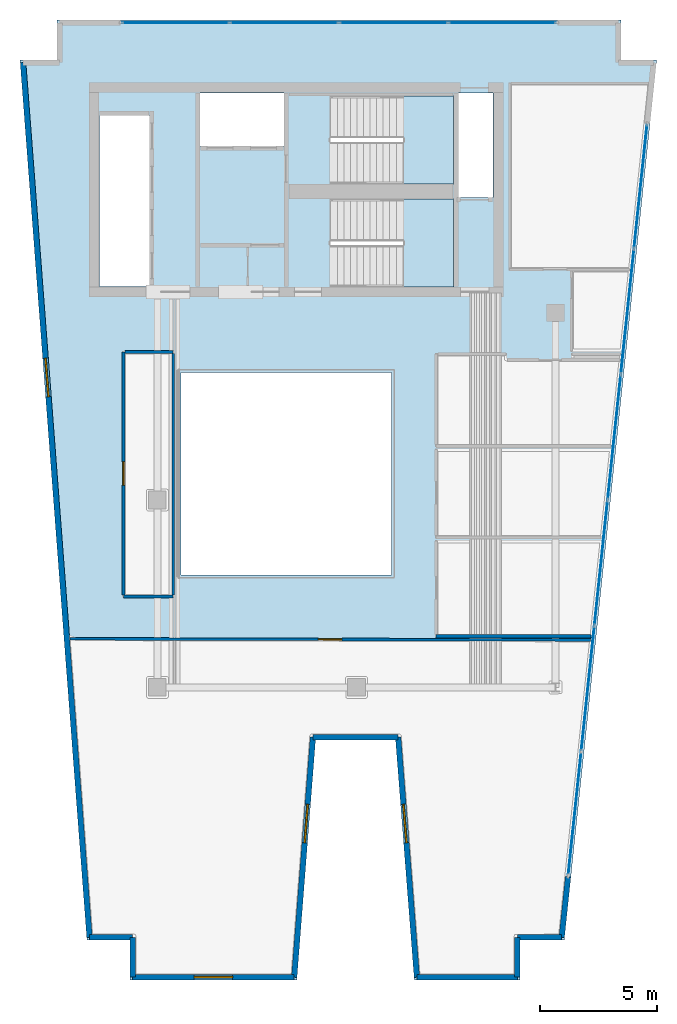
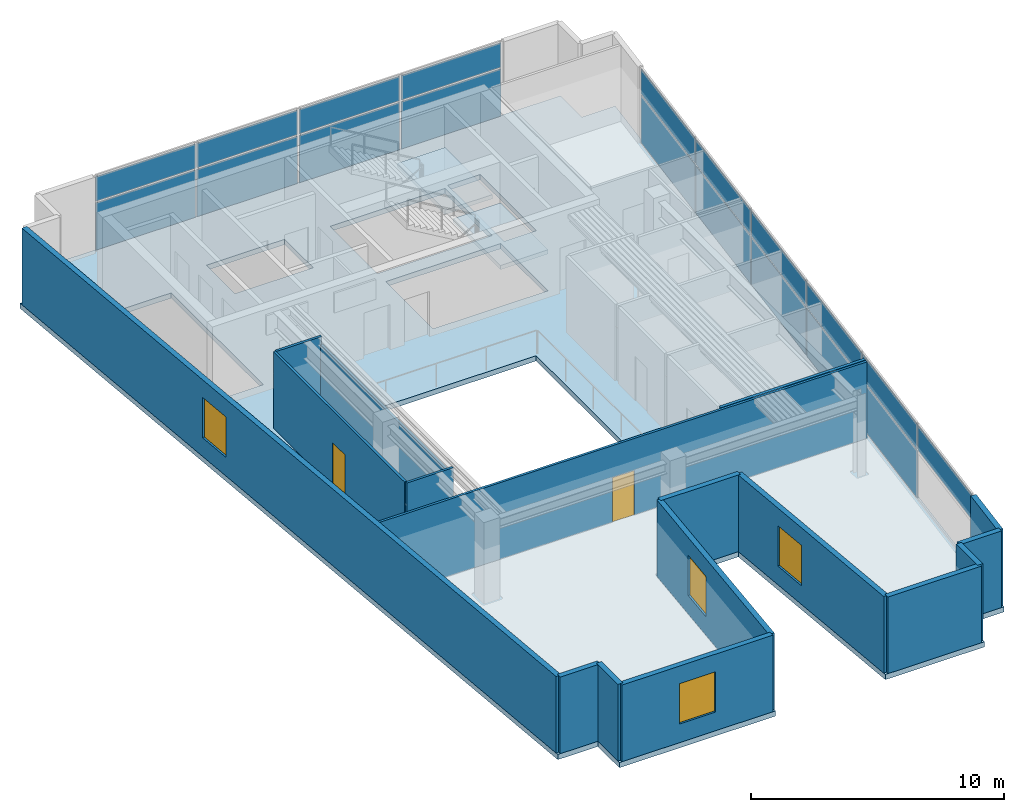
# One storey, part 2 of 6: 19 plates, 17 walls, 4 windows, 3 slabs, 2 doors, 6 openings, 4 elements without a shape of their own.
"""IFC4 building model written with IfcOpenShell, lengths in metres."""

from ifc_helpers import new_model, si_unit, direction, frame, frame_2d, origin, origin_2d, place, context, subcontext, project, spatial, polyline, rectangle, outline, extrude, material, layer, layer_set, type_object, element, fill, aggregate, save


model = new_model("IFC4")

# Units and contexts
model_context = context("Model", 3, precision=1e-05, world=origin(), true_north=direction((0.0, 1.0)))
body_context = subcontext(model_context, "Body", "Model", "MODEL_VIEW")
ifc_project = project(units=[si_unit("LENGTHUNIT", "METRE"), si_unit("AREAUNIT", "SQUARE_METRE"), si_unit("VOLUMEUNIT", "CUBIC_METRE"), si_unit("PLANEANGLEUNIT", "RADIAN"), si_unit("MASSUNIT", "GRAM", prefix="KILO")], contexts=[model_context])

# Site, building, storey
site_placement = place(None, origin())
site = spatial("IfcSite", under=ifc_project, at=site_placement, CompositionType="ELEMENT")
building_placement = place(site_placement, origin())
building = spatial("IfcBuilding", under=site, at=building_placement, Name="Caeloran Harvest Quay", CompositionType="ELEMENT")
storey_placement = place(building_placement, frame((0.0, 0.0, 288.300048828125)))
storey = spatial("IfcBuildingStorey", under=building, at=storey_placement, Name="L69", CompositionType="ELEMENT", Elevation=288.300048828125)

# Curtain wall, plates
ifc_material_1 = material(Name="Aluminium 6063-T6 and Low-E Glazing", Category="aluminium")
ifc_layer_1 = layer(ifc_material_1, 0.219970703125, Name="Aluminium 6063-T6 and Low-E Glazing")
ifc_layer_set_1 = layer_set([ifc_layer_1], Name="Aluminium 6063-T6 and Low-E Glazing")
curtain_wall_type = type_object("IfcCurtainWallType", Name="CW-SYS-CW-5", PredefinedType="USERDEFINED", material=ifc_layer_set_1)
curtain_wall_1_placement = place(storey_placement, origin())
curtain_wall_1 = element("IfcCurtainWall", 1, at=curtain_wall_1_placement, inside=storey, type_object=curtain_wall_type, Name="L69 Unitised Curtain Wall CW-5 Run 6", ObjectType="CURTAIN_WALL", PredefinedType="USERDEFINED")
ifc_material_2 = material(Name="Low-E Double Glazed Vision Glass Unit", Category="glass")
ifc_layer_2 = layer(ifc_material_2, 0.035888671875, Name="Low-E Double Glazed Vision Glass Unit")
ifc_layer_set_2 = layer_set([ifc_layer_2], Name="Low-E Double Glazed Vision Glass Unit")
plate_type = type_object("IfcPlateType", Name="CW-VISION-PANEL", PredefinedType="CURTAIN_PANEL", material=ifc_layer_set_2)
plate_1_placement = place(storey_placement, frame((9.2724609375, 43.3798828125, 0.080078125), z_axis=(0.0, 0.0, 1.0), x_axis=(1.0, 0.0, 0.0)))
plate_1 = element("IfcPlate", 2, at=plate_1_placement, type_object=plate_type, Name="CW-5 panel 1.1", PredefinedType="CURTAIN_PANEL", context=body_context, shape_type="SweptSolid", body=[
    extrude(rectangle(XDim=4.544921875, YDim=0.035888671875, at=origin_2d()), origin(), (0.0, 0.0, 1.0), 2.280029296875),
])
plate_2_placement = place(storey_placement, frame((9.2724609375, 43.3798828125, 2.43994140625), z_axis=(0.0, 0.0, 1.0), x_axis=(1.0, 0.0, 0.0)))
plate_2 = element("IfcPlate", 3, at=plate_2_placement, type_object=plate_type, Name="CW-5 panel 1.2", PredefinedType="CURTAIN_PANEL", context=body_context, shape_type="SweptSolid", body=[
    extrude(rectangle(XDim=4.544921875, YDim=0.035888671875, at=origin_2d()), origin(), (0.0, 0.0, 1.0), 1.179931640625),
])
plate_3_placement = place(storey_placement, frame((13.91748046875, 43.3798828125, 0.080078125), z_axis=(0.0, 0.0, 1.0), x_axis=(1.0, 0.0, 0.0)))
plate_3 = element("IfcPlate", 4, at=plate_3_placement, type_object=plate_type, Name="CW-5 panel 2.1", PredefinedType="CURTAIN_PANEL", context=body_context, shape_type="SweptSolid", body=[
    extrude(rectangle(XDim=4.5849609375, YDim=0.035888671875, at=origin_2d()), origin(), (0.0, 0.0, 1.0), 2.280029296875),
])
plate_4_placement = place(storey_placement, frame((13.91748046875, 43.3798828125, 2.43994140625), z_axis=(0.0, 0.0, 1.0), x_axis=(1.0, 0.0, 0.0)))
plate_4 = element("IfcPlate", 5, at=plate_4_placement, type_object=plate_type, Name="CW-5 panel 2.2", PredefinedType="CURTAIN_PANEL", context=body_context, shape_type="SweptSolid", body=[
    extrude(rectangle(XDim=4.5849609375, YDim=0.035888671875, at=origin_2d()), origin(), (0.0, 0.0, 1.0), 1.179931640625),
])
plate_5_placement = place(storey_placement, frame((18.58251953125, 43.3798828125, 0.080078125), z_axis=(0.0, 0.0, 1.0), x_axis=(1.0, 0.0, 0.0)))
plate_5 = element("IfcPlate", 6, at=plate_5_placement, type_object=plate_type, Name="CW-5 panel 3.1", PredefinedType="CURTAIN_PANEL", context=body_context, shape_type="SweptSolid", body=[
    extrude(rectangle(XDim=4.5849609375, YDim=0.035888671875, at=origin_2d()), origin(), (0.0, 0.0, 1.0), 2.280029296875),
])
plate_6_placement = place(storey_placement, frame((18.58251953125, 43.3798828125, 2.43994140625), z_axis=(0.0, 0.0, 1.0), x_axis=(1.0, 0.0, 0.0)))
plate_6 = element("IfcPlate", 7, at=plate_6_placement, type_object=plate_type, Name="CW-5 panel 3.2", PredefinedType="CURTAIN_PANEL", context=body_context, shape_type="SweptSolid", body=[
    extrude(rectangle(XDim=4.5849609375, YDim=0.035888671875, at=origin_2d()), origin(), (0.0, 0.0, 1.0), 1.179931640625),
])
plate_7_placement = place(storey_placement, frame((23.2275390625, 43.3798828125, 0.080078125), z_axis=(0.0, 0.0, 1.0), x_axis=(1.0, 0.0, 0.0)))
plate_7 = element("IfcPlate", 8, at=plate_7_placement, type_object=plate_type, Name="CW-5 panel 4.1", PredefinedType="CURTAIN_PANEL", context=body_context, shape_type="SweptSolid", body=[
    extrude(rectangle(XDim=4.544921875, YDim=0.035888671875, at=origin_2d()), origin(), (0.0, 0.0, 1.0), 2.280029296875),
])
plate_8_placement = place(storey_placement, frame((23.2275390625, 43.3798828125, 2.43994140625), z_axis=(0.0, 0.0, 1.0), x_axis=(1.0, 0.0, 0.0)))
plate_8 = element("IfcPlate", 9, at=plate_8_placement, type_object=plate_type, Name="CW-5 panel 4.2", PredefinedType="CURTAIN_PANEL", context=body_context, shape_type="SweptSolid", body=[
    extrude(rectangle(XDim=4.544921875, YDim=0.035888671875, at=origin_2d()), origin(), (0.0, 0.0, 1.0), 1.179931640625),
])
aggregate(curtain_wall_1, [plate_1, plate_2, plate_3, plate_4, plate_5, plate_6, plate_7, plate_8])

curtain_wall_2_placement = place(storey_placement, origin())
curtain_wall_2 = element("IfcCurtainWall", 10, at=curtain_wall_2_placement, inside=storey, type_object=curtain_wall_type, Name="L69 Unitised Curtain Wall CW-5 Run 9", ObjectType="CURTAIN_WALL", PredefinedType="USERDEFINED")
plate_9_placement = place(storey_placement, frame((29.132568359375, 36.391845703125, 0.080078125), z_axis=(0.0, 0.0, 1.0), x_axis=(-0.104460096251, -0.994529078655, 0.0)))
plate_9 = element("IfcPlate", 11, at=plate_9_placement, type_object=plate_type, Name="CW-5 panel 1.1", PredefinedType="CURTAIN_PANEL", context=body_context, shape_type="SweptSolid", body=[
    extrude(rectangle(XDim=5.274169921875, YDim=0.035888671875, at=origin_2d()), origin(), (0.0, 0.0, 1.0), 2.280029296875),
])
plate_10_placement = place(storey_placement, frame((29.132568359375, 36.391845703125, 2.43994140625), z_axis=(0.0, 0.0, 1.0), x_axis=(-0.104460096251, -0.994529078655, 0.0)))
plate_10 = element("IfcPlate", 12, at=plate_10_placement, type_object=plate_type, Name="CW-5 panel 1.2", PredefinedType="CURTAIN_PANEL", context=body_context, shape_type="SweptSolid", body=[
    extrude(rectangle(XDim=5.274169921875, YDim=0.035888671875, at=origin_2d()), origin(), (0.0, 0.0, 1.0), 1.179931640625),
])
plate_11_placement = place(storey_placement, frame((28.5712890625, 31.047119140625, 0.080078125), z_axis=(0.0, 0.0, 1.0), x_axis=(-0.104460096251, -0.994529078655, 0.0)))
plate_11 = element("IfcPlate", 13, at=plate_11_placement, type_object=plate_type, Name="CW-5 panel 2.1", PredefinedType="CURTAIN_PANEL", context=body_context, shape_type="SweptSolid", body=[
    extrude(rectangle(XDim=5.314208984375, YDim=0.035888671875, at=origin_2d()), origin(), (0.0, 0.0, 1.0), 2.280029296875),
])
plate_12_placement = place(storey_placement, frame((28.5712890625, 31.047119140625, 2.43994140625), z_axis=(0.0, 0.0, 1.0), x_axis=(-0.104460096251, -0.994529078655, 0.0)))
plate_12 = element("IfcPlate", 14, at=plate_12_placement, type_object=plate_type, Name="CW-5 panel 2.2", PredefinedType="CURTAIN_PANEL", context=body_context, shape_type="SweptSolid", body=[
    extrude(rectangle(XDim=5.314208984375, YDim=0.035888671875, at=origin_2d()), origin(), (0.0, 0.0, 1.0), 1.179931640625),
])
plate_13_placement = place(storey_placement, frame((28.0078125, 25.682373046875, 0.080078125), z_axis=(0.0, 0.0, 1.0), x_axis=(-0.104460096251, -0.994529078655, 0.0)))
plate_13 = element("IfcPlate", 15, at=plate_13_placement, type_object=plate_type, Name="CW-5 panel 3.1", PredefinedType="CURTAIN_PANEL", context=body_context, shape_type="SweptSolid", body=[
    extrude(rectangle(XDim=5.314208984375, YDim=0.035888671875, at=origin_2d()), origin(), (0.0, 0.0, 1.0), 2.280029296875),
])
plate_14_placement = place(storey_placement, frame((28.0078125, 25.682373046875, 2.43994140625), z_axis=(0.0, 0.0, 1.0), x_axis=(-0.104460096251, -0.994529078655, 0.0)))
plate_14 = element("IfcPlate", 16, at=plate_14_placement, type_object=plate_type, Name="CW-5 panel 3.2", PredefinedType="CURTAIN_PANEL", context=body_context, shape_type="SweptSolid", body=[
    extrude(rectangle(XDim=5.314208984375, YDim=0.035888671875, at=origin_2d()), origin(), (0.0, 0.0, 1.0), 1.179931640625),
])
plate_15_placement = place(storey_placement, frame((27.4443359375, 20.317626953125, 0.080078125), z_axis=(0.0, 0.0, 1.0), x_axis=(-0.104460096251, -0.994529078655, 0.0)))
plate_15 = element("IfcPlate", 17, at=plate_15_placement, type_object=plate_type, Name="CW-5 panel 4.1", PredefinedType="CURTAIN_PANEL", context=body_context, shape_type="SweptSolid", body=[
    extrude(rectangle(XDim=5.314208984375, YDim=0.035888671875, at=origin_2d()), origin(), (0.0, 0.0, 1.0), 2.280029296875),
])
plate_16_placement = place(storey_placement, frame((27.4443359375, 20.317626953125, 2.43994140625), z_axis=(0.0, 0.0, 1.0), x_axis=(-0.104460096251, -0.994529078655, 0.0)))
plate_16 = element("IfcPlate", 18, at=plate_16_placement, type_object=plate_type, Name="CW-5 panel 4.2", PredefinedType="CURTAIN_PANEL", context=body_context, shape_type="SweptSolid", body=[
    extrude(rectangle(XDim=5.314208984375, YDim=0.035888671875, at=origin_2d()), origin(), (0.0, 0.0, 1.0), 1.179931640625),
])
plate_17_placement = place(storey_placement, frame((26.880859375, 14.952880859375, 0.080078125), z_axis=(0.0, 0.0, 1.0), x_axis=(-0.104460096251, -0.994529078655, 0.0)))
plate_17 = element("IfcPlate", 19, at=plate_17_placement, type_object=plate_type, Name="CW-5 panel 5.1", PredefinedType="CURTAIN_PANEL", context=body_context, shape_type="SweptSolid", body=[
    extrude(rectangle(XDim=5.314208984375, YDim=0.035888671875, at=origin_2d()), origin(), (0.0, 0.0, 1.0), 2.280029296875),
])
plate_18_placement = place(storey_placement, frame((26.880859375, 14.952880859375, 2.43994140625), z_axis=(0.0, 0.0, 1.0), x_axis=(-0.104460096251, -0.994529078655, 0.0)))
plate_18 = element("IfcPlate", 20, at=plate_18_placement, type_object=plate_type, Name="CW-5 panel 5.2", PredefinedType="CURTAIN_PANEL", context=body_context, shape_type="SweptSolid", body=[
    extrude(rectangle(XDim=5.314208984375, YDim=0.035888671875, at=origin_2d()), origin(), (0.0, 0.0, 1.0), 1.179931640625),
])
plate_19_placement = place(storey_placement, frame((26.3193359375, 9.608154296875, 2.43994140625), z_axis=(0.0, 0.0, 1.0), x_axis=(-0.104460096251, -0.994529078655, 0.0)))
plate_19 = element("IfcPlate", 21, at=plate_19_placement, type_object=plate_type, Name="CW-5 panel 6.2", PredefinedType="CURTAIN_PANEL", context=body_context, shape_type="SweptSolid", body=[
    extrude(rectangle(XDim=5.274169921875, YDim=0.035888671875, at=origin_2d()), origin(), (0.0, 0.0, 1.0), 1.179931640625),
])
aggregate(curtain_wall_2, [plate_9, plate_10, plate_11, plate_12, plate_13, plate_14, plate_15, plate_16, plate_17, plate_18, plate_19])

# Slab
ifc_material_3 = material(Name="Concrete C50/60", Category="concrete")
ifc_layer_3 = layer(ifc_material_3, 0.25, Name="Concrete C50/60")
ifc_layer_set_3 = layer_set([ifc_layer_3], Name="Concrete C50/60")
slab_type_1 = type_object("IfcSlabType", Name="SLAB-FS-250", PredefinedType="FLOOR", material=ifc_layer_set_3)
slab_1_placement = place(storey_placement, frame((0.0, 0.0, -0.25)))
element("IfcSlab", 22, at=slab_1_placement, inside=storey, type_object=slab_type_1, Name="L69 Structural Floor Slab", PredefinedType="FLOOR", context=body_context, shape_type="SweptSolid", body=[
    extrude(outline(polyline([(7.318603515625, 2.5), (14.451416015625, 2.5), (15.25146484375, 12.75), (18.670166015625, 12.75), (19.47021484375, 2.5), (23.993408203125, 2.5), (23.993408203125, 4.199951171875), (25.8720703125, 4.199951171875), (29.8212890625, 41.800048828125), (28.300048828125, 41.800048828125), (28.300048828125, 43.5), (4.199951171875, 43.5), (4.199951171875, 41.800048828125), (2.62939453125, 41.800048828125), (5.4892578125, 4.199951171875), (7.318603515625, 4.199951171875), (7.318603515625, 2.5)]), holes=[polyline([(18.5, 28.449951171875), (18.5, 19.800048828125), (9.5, 19.800048828125), (9.5, 28.449951171875), (18.5, 28.449951171875)]), polyline([(15.89990234375, 32.10009765625), (15.89990234375, 35.85009765625), (21.14990234375, 35.85009765625), (21.14990234375, 32.10009765625), (15.89990234375, 32.10009765625)]), polyline([(8.159912109375, 32.1201171875), (6.02001953125, 32.1201171875), (6.02001953125, 39.419921875), (8.159912109375, 39.419921875), (8.159912109375, 32.1201171875)]), polyline([(22.830078125, 40.3798828125), (22.830078125, 35.919921875), (21.35009765625, 35.919921875), (21.35009765625, 40.3798828125), (22.830078125, 40.3798828125)]), polyline([(15.89990234375, 36.5), (15.89990234375, 40.25), (21.14990234375, 40.25), (21.14990234375, 36.5), (15.89990234375, 36.5)]), polyline([(13.89990234375, 38.1201171875), (10.320068359375, 38.1201171875), (10.320068359375, 40.3798828125), (13.89990234375, 40.3798828125), (13.89990234375, 38.1201171875)])]), origin(), (0.0, 0.0, 1.0), 0.25),
])

# Stair, slab
stair_type = type_object("IfcStairType", Name="STAIR-STC-180", PredefinedType="HALF_TURN_STAIR", material=ifc_material_3)
stair_1_placement = place(storey_placement, origin())
stair_1 = element("IfcStair", 23, at=stair_1_placement, inside=storey, type_object=stair_type, Name="L69 Core Pressurized Exit Stair ST-C1", PredefinedType="HALF_TURN_STAIR")
ifc_layer_4 = layer(ifc_material_3, 0.219970703125, Name="Concrete C50/60")
ifc_layer_set_4 = layer_set([ifc_layer_4], Name="Concrete C50/60")
slab_type_2 = type_object("IfcSlabType", Name="STAIR-LANDING-220", PredefinedType="LANDING", material=ifc_layer_set_4)
slab_2_placement = place(storey_placement, frame((0.0, 0.0, 1.77490234375)))
slab_2 = element("IfcSlab", 24, at=slab_2_placement, type_object=slab_type_2, Name="ST-C1 landing 1", PredefinedType="LANDING", context=body_context, shape_type="SweptSolid", body=[
    extrude(outline(polyline([(18.97998046875, 36.5), (21.14990234375, 36.5), (21.14990234375, 40.25), (18.97998046875, 40.25), (18.97998046875, 36.5)])), origin(), (0.0, 0.0, 1.0), 0.199951171875),
])
aggregate(stair_1, [slab_2])

stair_2_placement = place(storey_placement, origin())
stair_2 = element("IfcStair", 25, at=stair_2_placement, inside=storey, type_object=stair_type, Name="L69 Core Pressurized Exit Stair ST-C2", PredefinedType="HALF_TURN_STAIR")
slab_3_placement = place(storey_placement, frame((0.0, 0.0, 1.77490234375)))
slab_3 = element("IfcSlab", 26, at=slab_3_placement, type_object=slab_type_2, Name="ST-C2 landing 1", PredefinedType="LANDING", context=body_context, shape_type="SweptSolid", body=[
    extrude(outline(polyline([(18.97998046875, 32.10009765625), (21.14990234375, 32.10009765625), (21.14990234375, 35.85009765625), (18.97998046875, 35.85009765625), (18.97998046875, 32.10009765625)])), origin(), (0.0, 0.0, 1.0), 0.199951171875),
])
aggregate(stair_2, [slab_3])

# Walls
ifc_material_4 = material(Name="Precast concrete C50/60", Category="concrete")
ifc_layer_5 = layer(ifc_material_4, 0.239990234375, Name="Precast concrete C50/60")
ifc_layer_set_5 = layer_set([ifc_layer_5], Name="Precast concrete C50/60")
wall_type_1 = type_object("IfcWallType", Name="ENV-WALL-EW-240", PredefinedType="STANDARD", material=ifc_layer_set_5)
wall_1_placement = place(storey_placement, frame((7.4384765625, 2.6201171875, 0.0), z_axis=(0.0, 0.0, 1.0), x_axis=(0.0, 1.0, 0.0)))
element("IfcWall", 27, at=wall_1_placement, inside=storey, type_object=wall_type_1, Name="L69 Exterior Precast Concrete Facade Wall 1", PredefinedType="STANDARD", context=body_context, shape_type="SweptSolid", body=[
    extrude(rectangle(XDim=1.699951171875, YDim=0.239990234375, at=frame_2d((0.85009765625, 0.0))), origin(), (0.0, 0.0, 1.0), 3.699951171875),
])
wall_2_placement = place(storey_placement, frame((7.4384765625, 4.320068359375, 0.0), z_axis=(0.0, 0.0, 1.0), x_axis=(-1.0, 0.0, 0.0)))
element("IfcWall", 28, at=wall_2_placement, inside=storey, type_object=wall_type_1, Name="L69 Exterior Precast Concrete Facade Wall 2", PredefinedType="STANDARD", context=body_context, shape_type="SweptSolid", body=[
    extrude(rectangle(XDim=1.838134765625, YDim=0.239990234375, at=frame_2d((0.9189453125, 0.0))), origin(), (0.0, 0.0, 1.0), 3.699951171875),
])

# Wall, opening, window
wall_3_placement = place(storey_placement, frame((5.600341796875, 4.320068359375, 0.0), z_axis=(0.0, 0.0, 1.0), x_axis=(-0.075839920993, 0.997120006009, 0.0)))
wall_3 = element("IfcWall", 29, at=wall_3_placement, inside=storey, type_object=wall_type_1, Name="L69 Exterior Precast Concrete Facade Wall 3", PredefinedType="STANDARD", context=body_context, shape_type="SweptSolid", body=[
    extrude(rectangle(XDim=37.4677734375, YDim=0.239990234375, at=frame_2d((18.73388671875, 0.0))), origin(), (0.0, 0.0, 1.0), 3.699951171875),
])
opening_1_placement = place(wall_3_placement, frame((23.154052734375, 0.0, 0.89990234375)))
opening_1 = element("IfcOpeningElement", 30, at=opening_1_placement, cuts=wall_3, Name="Opening W-08", PredefinedType="OPENING", context=body_context, shape_type="SweptSolid", body=[
    extrude(rectangle(XDim=1.64990234375, YDim=1.949951171875, at=frame_2d((0.824951171875, 0.97509765625))), frame((0.0, 0.1298828125, 0.0), z_axis=(0.0, -1.0, 0.0), x_axis=(1.0, 0.0, 0.0)), (0.0, 0.0, 1.0), 0.260009765625),
])
ifc_material_5 = material(Name="Aluminium-Framed Low-E Laminated Glass", Category="aluminium")
window_type = type_object("IfcWindowType", Name="WIN-W-08", PartitioningType="SINGLE_PANEL", PredefinedType="WINDOW", material=ifc_material_5)
window_1_placement = place(opening_1_placement, origin())
window_1 = element("IfcWindow", 31, at=window_1_placement, inside=storey, type_object=window_type, Name="L69 Facade Punched Window W-08", OverallHeight=1.949951171875, OverallWidth=1.64990234375, PartitioningType="SINGLE_PANEL", PredefinedType="WINDOW", context=body_context, shape_type="SweptSolid", body=[
    extrude(rectangle(XDim=1.64990234375, YDim=1.949951171875, at=frame_2d((0.824951171875, 0.97509765625))), frame((0.0, 0.030029296875, 0.0), z_axis=(0.0, -1.0, 0.0), x_axis=(1.0, 0.0, 0.0)), (0.0, 0.0, 1.0), 0.06005859375),
])
fill(opening_1, window_1)

# Walls
wall_4_placement = place(storey_placement, frame((26.03564453125, 6.90576171875, 0.0), z_axis=(0.0, 0.0, 1.0), x_axis=(-0.104513699976, -0.994523446942, 0.0)))
element("IfcWall", 32, at=wall_4_placement, inside=storey, type_object=wall_type_1, Name="L69 Exterior Facade Corner Pier Wall 9B", PredefinedType="STANDARD", context=body_context, shape_type="SweptSolid", body=[
    extrude(rectangle(XDim=2.599853515625, YDim=0.239990234375, at=frame_2d((1.2998046875, 0.0))), origin(), (0.0, 0.0, 1.0), 3.699951171875),
])
wall_5_placement = place(storey_placement, frame((25.763916015625, 4.320068359375, 0.0), z_axis=(0.0, 0.0, 1.0), x_axis=(-1.0, 0.0, 0.0)))
element("IfcWall", 33, at=wall_5_placement, inside=storey, type_object=wall_type_1, Name="L69 Exterior Precast Concrete Facade Wall 10", PredefinedType="STANDARD", context=body_context, shape_type="SweptSolid", body=[
    extrude(rectangle(XDim=1.890380859375, YDim=0.239990234375, at=frame_2d((0.9453125, 0.0))), origin(), (0.0, 0.0, 1.0), 3.699951171875),
])
wall_6_placement = place(storey_placement, frame((23.87353515625, 4.320068359375, 0.0), z_axis=(0.0, 0.0, 1.0), x_axis=(0.0, -1.0, 0.0)))
element("IfcWall", 34, at=wall_6_placement, inside=storey, type_object=wall_type_1, Name="L69 Exterior Precast Concrete Facade Wall 11", PredefinedType="STANDARD", context=body_context, shape_type="SweptSolid", body=[
    extrude(rectangle(XDim=1.699951171875, YDim=0.239990234375, at=frame_2d((0.85009765625, 0.0))), origin(), (0.0, 0.0, 1.0), 3.699951171875),
])
wall_7_placement = place(storey_placement, frame((23.87353515625, 2.6201171875, 0.0), z_axis=(0.0, 0.0, 1.0), x_axis=(-1.0, 0.0, 0.0)))
element("IfcWall", 35, at=wall_7_placement, inside=storey, type_object=wall_type_1, Name="L69 Exterior Precast Concrete Facade Wall 12", PredefinedType="STANDARD", context=body_context, shape_type="SweptSolid", body=[
    extrude(rectangle(XDim=4.292236328125, YDim=0.239990234375, at=frame_2d((2.14599609375, 0.0))), origin(), (0.0, 0.0, 1.0), 3.699951171875),
])

# Wall, opening, window
wall_8_placement = place(storey_placement, frame((19.581298828125, 2.6201171875, 0.0), z_axis=(0.0, 0.0, 1.0), x_axis=(-0.077816860153, 0.996967670627, 0.0)))
wall_8 = element("IfcWall", 36, at=wall_8_placement, inside=storey, type_object=wall_type_1, Name="L69 Exterior Precast Concrete Facade Wall 13", PredefinedType="STANDARD", context=body_context, shape_type="SweptSolid", body=[
    extrude(rectangle(XDim=10.28125, YDim=0.239990234375, at=frame_2d((5.140625, 0.0))), origin(), (0.0, 0.0, 1.0), 3.699951171875),
])
opening_2_placement = place(wall_8_placement, frame((5.7548828125, 0.0, 0.89990234375)))
opening_2 = element("IfcOpeningElement", 37, at=opening_2_placement, cuts=wall_8, Name="Opening W-08", PredefinedType="OPENING", context=body_context, shape_type="SweptSolid", body=[
    extrude(rectangle(XDim=1.64990234375, YDim=1.949951171875, at=frame_2d((0.824951171875, 0.97509765625))), frame((0.0, 0.1298828125, 0.0), z_axis=(0.0, -1.0, 0.0), x_axis=(1.0, 0.0, 0.0)), (0.0, 0.0, 1.0), 0.260009765625),
])
window_2_placement = place(opening_2_placement, origin())
window_2 = element("IfcWindow", 38, at=window_2_placement, inside=storey, type_object=window_type, Name="L69 Facade Punched Window W-08", OverallHeight=1.949951171875, OverallWidth=1.64990234375, PartitioningType="SINGLE_PANEL", PredefinedType="WINDOW", context=body_context, shape_type="SweptSolid", body=[
    extrude(rectangle(XDim=1.64990234375, YDim=1.949951171875, at=frame_2d((0.824951171875, 0.97509765625))), frame((0.0, 0.030029296875, 0.0), z_axis=(0.0, -1.0, 0.0), x_axis=(1.0, 0.0, 0.0)), (0.0, 0.0, 1.0), 0.06005859375),
])
fill(opening_2, window_2)

# Wall
wall_9_placement = place(storey_placement, frame((18.78125, 12.8701171875, 0.0), z_axis=(0.0, 0.0, 1.0), x_axis=(-1.0, 0.0, 0.0)))
element("IfcWall", 39, at=wall_9_placement, inside=storey, type_object=wall_type_1, Name="L69 Exterior Precast Concrete Facade Wall 14", PredefinedType="STANDARD", context=body_context, shape_type="SweptSolid", body=[
    extrude(rectangle(XDim=3.640869140625, YDim=0.239990234375, at=frame_2d((1.8203125, 0.0))), origin(), (0.0, 0.0, 1.0), 3.699951171875),
])

# Wall, opening, window
wall_10_placement = place(storey_placement, frame((15.140380859375, 12.8701171875, 0.0), z_axis=(0.0, 0.0, 1.0), x_axis=(-0.077793257511, -0.996969512616, 0.0)))
wall_10 = element("IfcWall", 40, at=wall_10_placement, inside=storey, type_object=wall_type_1, Name="L69 Exterior Precast Concrete Facade Wall 15", PredefinedType="STANDARD", context=body_context, shape_type="SweptSolid", body=[
    extrude(rectangle(XDim=10.28125, YDim=0.239990234375, at=frame_2d((5.140625, 0.0))), origin(), (0.0, 0.0, 1.0), 3.699951171875),
])
opening_3_placement = place(wall_10_placement, frame((2.8759765625, 0.0, 0.89990234375)))
opening_3 = element("IfcOpeningElement", 41, at=opening_3_placement, cuts=wall_10, Name="Opening W-08", PredefinedType="OPENING", context=body_context, shape_type="SweptSolid", body=[
    extrude(rectangle(XDim=1.64990234375, YDim=1.949951171875, at=frame_2d((0.824951171875, 0.97509765625))), frame((0.0, 0.1298828125, 0.0), z_axis=(0.0, -1.0, 0.0), x_axis=(1.0, 0.0, 0.0)), (0.0, 0.0, 1.0), 0.260009765625),
])
window_3_placement = place(opening_3_placement, origin())
window_3 = element("IfcWindow", 42, at=window_3_placement, inside=storey, type_object=window_type, Name="L69 Facade Punched Window W-08", OverallHeight=1.949951171875, OverallWidth=1.64990234375, PartitioningType="SINGLE_PANEL", PredefinedType="WINDOW", context=body_context, shape_type="SweptSolid", body=[
    extrude(rectangle(XDim=1.64990234375, YDim=1.949951171875, at=frame_2d((0.824951171875, 0.97509765625))), frame((0.0, 0.030029296875, 0.0), z_axis=(0.0, -1.0, 0.0), x_axis=(1.0, 0.0, 0.0)), (0.0, 0.0, 1.0), 0.06005859375),
])
fill(opening_3, window_3)

wall_11_placement = place(storey_placement, frame((14.340576171875, 2.6201171875, 0.0), z_axis=(0.0, 0.0, 1.0), x_axis=(-1.0, 0.0, 0.0)))
wall_11 = element("IfcWall", 43, at=wall_11_placement, inside=storey, type_object=wall_type_1, Name="L69 Exterior Precast Concrete Facade Wall 16", PredefinedType="STANDARD", context=body_context, shape_type="SweptSolid", body=[
    extrude(rectangle(XDim=6.902099609375, YDim=0.239990234375, at=frame_2d((3.451171875, 0.0))), origin(), (0.0, 0.0, 1.0), 3.699951171875),
])
opening_4_placement = place(wall_11_placement, frame((2.6259765625, 0.0, 0.89990234375)))
opening_4 = element("IfcOpeningElement", 44, at=opening_4_placement, cuts=wall_11, Name="Opening W-08", PredefinedType="OPENING", context=body_context, shape_type="SweptSolid", body=[
    extrude(rectangle(XDim=1.64990234375, YDim=1.949951171875, at=frame_2d((0.824951171875, 0.97509765625))), frame((0.0, 0.1298828125, 0.0), z_axis=(0.0, -1.0, 0.0), x_axis=(1.0, 0.0, 0.0)), (0.0, 0.0, 1.0), 0.260009765625),
])
window_4_placement = place(opening_4_placement, origin())
window_4 = element("IfcWindow", 45, at=window_4_placement, inside=storey, type_object=window_type, Name="L69 Facade Punched Window W-08", OverallHeight=1.949951171875, OverallWidth=1.64990234375, PartitioningType="SINGLE_PANEL", PredefinedType="WINDOW", context=body_context, shape_type="SweptSolid", body=[
    extrude(rectangle(XDim=1.64990234375, YDim=1.949951171875, at=frame_2d((0.824951171875, 0.97509765625))), frame((0.0, 0.030029296875, 0.0), z_axis=(0.0, -1.0, 0.0), x_axis=(1.0, 0.0, 0.0)), (0.0, 0.0, 1.0), 0.06005859375),
])
fill(opening_4, window_4)

# Wall, opening, door
ifc_material_6 = material(Name="Single-Stud Acoustic Gypsum Office Partition", Category="gypsum")
ifc_layer_6 = layer(ifc_material_6, 0.112060546875, Name="Single-Stud Acoustic Gypsum Office Partition")
ifc_layer_set_6 = layer_set([ifc_layer_6], Name="Single-Stud Acoustic Gypsum Office Partition")
wall_type_2 = type_object("IfcWallType", Name="INT-WALL-PW-112", PredefinedType="PARTITIONING", material=ifc_layer_set_6)
wall_12_placement = place(storey_placement, frame((4.755859375, 17.070556640625, 0.0), z_axis=(0.0, 0.0, 1.0), x_axis=(0.999997417422, -0.00227269645, 0.0)))
wall_12 = element("IfcWall", 46, at=wall_12_placement, inside=storey, type_object=wall_type_2, Name="Global Agro-Holdings Conference Hall Partition Wall", PredefinedType="PARTITIONING", context=body_context, shape_type="SweptSolid", body=[
    extrude(rectangle(XDim=22.236572265625, YDim=0.112060546875, at=frame_2d((11.1181640625, 0.0))), origin(), (0.0, 0.0, 1.0), 3.699951171875),
])
opening_5_placement = place(wall_12_placement, frame((10.618408203125, 0.0, 0.0)))
opening_5 = element("IfcOpeningElement", 47, at=opening_5_placement, cuts=wall_12, Name="Opening ID-01", PredefinedType="OPENING", context=body_context, shape_type="SweptSolid", body=[
    extrude(rectangle(XDim=1.0, YDim=2.14990234375, at=frame_2d((0.5, 1.074951171875))), frame((0.0, 0.06591796875, 0.0), z_axis=(0.0, -1.0, 0.0), x_axis=(1.0, 0.0, 0.0)), (0.0, 0.0, 1.0), 0.132080078125),
])
ifc_material_7 = material(Name="FSC Solid-Core Ash Timber and Acoustic Seal", Category="wood")
door_type = type_object("IfcDoorType", Name="INTDOOR-ID-01", OperationType="NOTDEFINED", PredefinedType="DOOR", material=ifc_material_7)
door_1_placement = place(opening_5_placement, origin())
door_1 = element("IfcDoor", 48, at=door_1_placement, inside=storey, type_object=door_type, Name="Global Agro-Holdings Conference Hall Access Door", OperationType="SINGLE_SWING_LEFT", OverallHeight=2.14990234375, OverallWidth=1.0, PredefinedType="DOOR", context=body_context, shape_type="SweptSolid", body=[
    extrude(rectangle(XDim=1.0, YDim=2.14990234375, at=frame_2d((0.5, 1.074951171875))), frame((0.0, 0.02490234375, 0.0), z_axis=(0.0, -1.0, 0.0), x_axis=(1.0, 0.0, 0.0)), (0.0, 0.0, 1.0), 0.050048828125),
])
fill(opening_5, door_1)

# Wall
wall_13_placement = place(storey_placement, frame((9.169921875, 18.8798828125, 0.0), z_axis=(0.0, 0.0, 1.0), x_axis=(-1.0, 0.0, 0.0)))
element("IfcWall", 49, at=wall_13_placement, inside=storey, type_object=wall_type_2, Name="Treasury Risk Seminar Room Partition Wall", PredefinedType="PARTITIONING", context=body_context, shape_type="SweptSolid", body=[
    extrude(rectangle(XDim=2.119873046875, YDim=0.112060546875, at=frame_2d((1.06005859375, 0.0))), origin(), (0.0, 0.0, 1.0), 3.699951171875),
])

# Wall, opening, door
wall_14_placement = place(storey_placement, frame((7.050048828125, 18.94091796875, 0.0), z_axis=(0.0, 0.0, 1.0), x_axis=(0.0, 1.0, 0.0)))
wall_14 = element("IfcWall", 50, at=wall_14_placement, inside=storey, type_object=wall_type_2, Name="Treasury Risk Seminar Room Partition Wall", PredefinedType="PARTITIONING", context=body_context, shape_type="SweptSolid", body=[
    extrude(rectangle(XDim=10.379150390625, YDim=0.112060546875, at=frame_2d((5.189453125, 0.0))), origin(), (0.0, 0.0, 1.0), 3.699951171875),
])
opening_6_placement = place(wall_14_placement, frame((4.689453125, 0.0, 0.0)))
opening_6 = element("IfcOpeningElement", 51, at=opening_6_placement, cuts=wall_14, Name="Opening ID-01", PredefinedType="OPENING", context=body_context, shape_type="SweptSolid", body=[
    extrude(rectangle(XDim=1.0, YDim=2.14990234375, at=frame_2d((0.5, 1.074951171875))), frame((0.0, 0.06591796875, 0.0), z_axis=(0.0, -1.0, 0.0), x_axis=(1.0, 0.0, 0.0)), (0.0, 0.0, 1.0), 0.132080078125),
])
door_2_placement = place(opening_6_placement, origin())
door_2 = element("IfcDoor", 52, at=door_2_placement, inside=storey, type_object=door_type, Name="Treasury Risk Seminar Room Access Door", OperationType="SINGLE_SWING_RIGHT", OverallHeight=2.14990234375, OverallWidth=1.0, PredefinedType="DOOR", context=body_context, shape_type="SweptSolid", body=[
    extrude(rectangle(XDim=1.0, YDim=2.14990234375, at=frame_2d((0.5, 1.074951171875))), frame((0.0, 0.02490234375, 0.0), z_axis=(0.0, -1.0, 0.0), x_axis=(1.0, 0.0, 0.0)), (0.0, 0.0, 1.0), 0.050048828125),
])
fill(opening_6, door_2)

# Walls
wall_15_placement = place(storey_placement, frame((7.111083984375, 29.320068359375, 0.0), z_axis=(0.0, 0.0, 1.0), x_axis=(1.0, 0.0, 0.0)))
element("IfcWall", 53, at=wall_15_placement, inside=storey, type_object=wall_type_2, Name="Treasury Risk Seminar Room Partition Wall", PredefinedType="PARTITIONING", context=body_context, shape_type="SweptSolid", body=[
    extrude(rectangle(XDim=2.058837890625, YDim=0.112060546875, at=frame_2d((1.029296875, 0.0))), origin(), (0.0, 0.0, 1.0), 3.699951171875),
])
wall_16_placement = place(storey_placement, frame((9.169921875, 29.259033203125, 0.0), z_axis=(0.0, 0.0, 1.0), x_axis=(0.0, -1.0, 0.0)))
element("IfcWall", 54, at=wall_16_placement, inside=storey, type_object=wall_type_2, Name="Treasury Risk Seminar Room Partition Wall", PredefinedType="PARTITIONING", context=body_context, shape_type="SweptSolid", body=[
    extrude(rectangle(XDim=10.318115234375, YDim=0.112060546875, at=frame_2d((5.1591796875, 0.0))), origin(), (0.0, 0.0, 1.0), 3.324951171875),
])
ifc_material_8 = material(Name="Moisture-Resistant Cement-Board Sanitary Partition", Category="gypsum")
ifc_layer_7 = layer(ifc_material_8, 0.139892578125, Name="Moisture-Resistant Cement-Board Sanitary Partition")
ifc_layer_set_7 = layer_set([ifc_layer_7], Name="Moisture-Resistant Cement-Board Sanitary Partition")
wall_type_3 = type_object("IfcWallType", Name="INT-WALL-PW-140", PredefinedType="PARTITIONING", material=ifc_layer_set_7)
wall_17_placement = place(storey_placement, frame((27.00927734375, 17.179931640625, 0.0), z_axis=(0.0, 0.0, 1.0), x_axis=(-1.0, 0.0, 0.0)))
element("IfcWall", 55, at=wall_17_placement, inside=storey, type_object=wall_type_3, Name="L69 Accessible Unisex Washroom WC Partition Wall", PredefinedType="PARTITIONING", context=body_context, shape_type="SweptSolid", body=[
    extrude(rectangle(XDim=6.609375, YDim=0.139892578125, at=frame_2d((3.3046875, 0.0))), origin(), (0.0, 0.0, 1.0), 3.699951171875),
])

save(model, "model.ifc")
